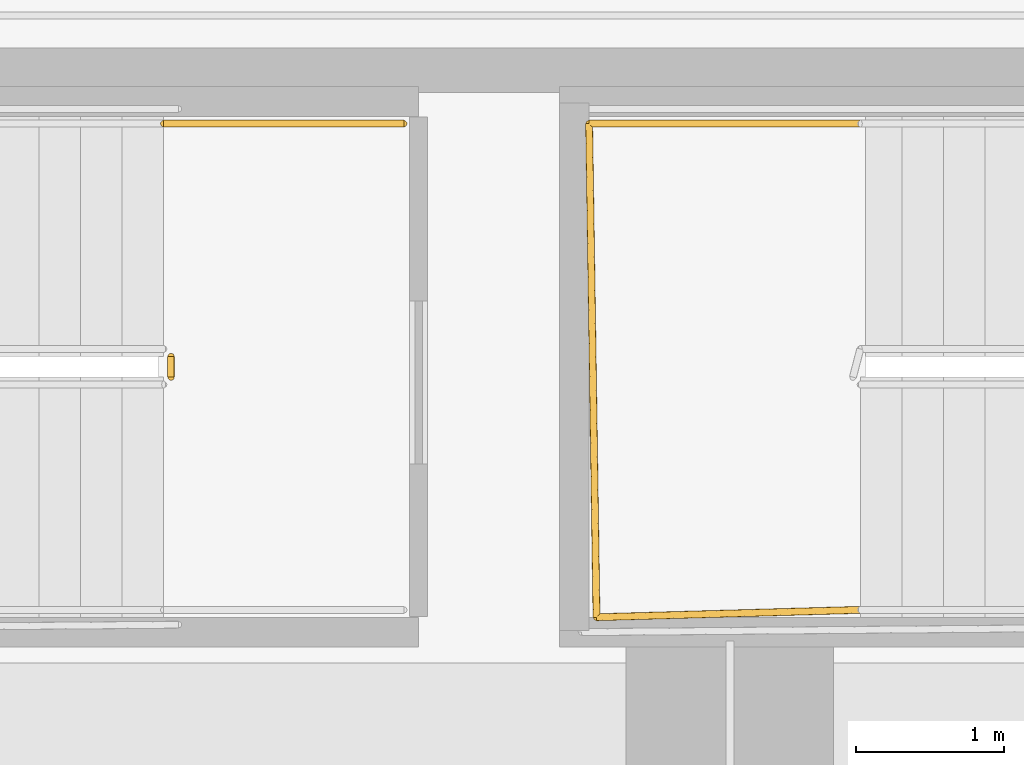
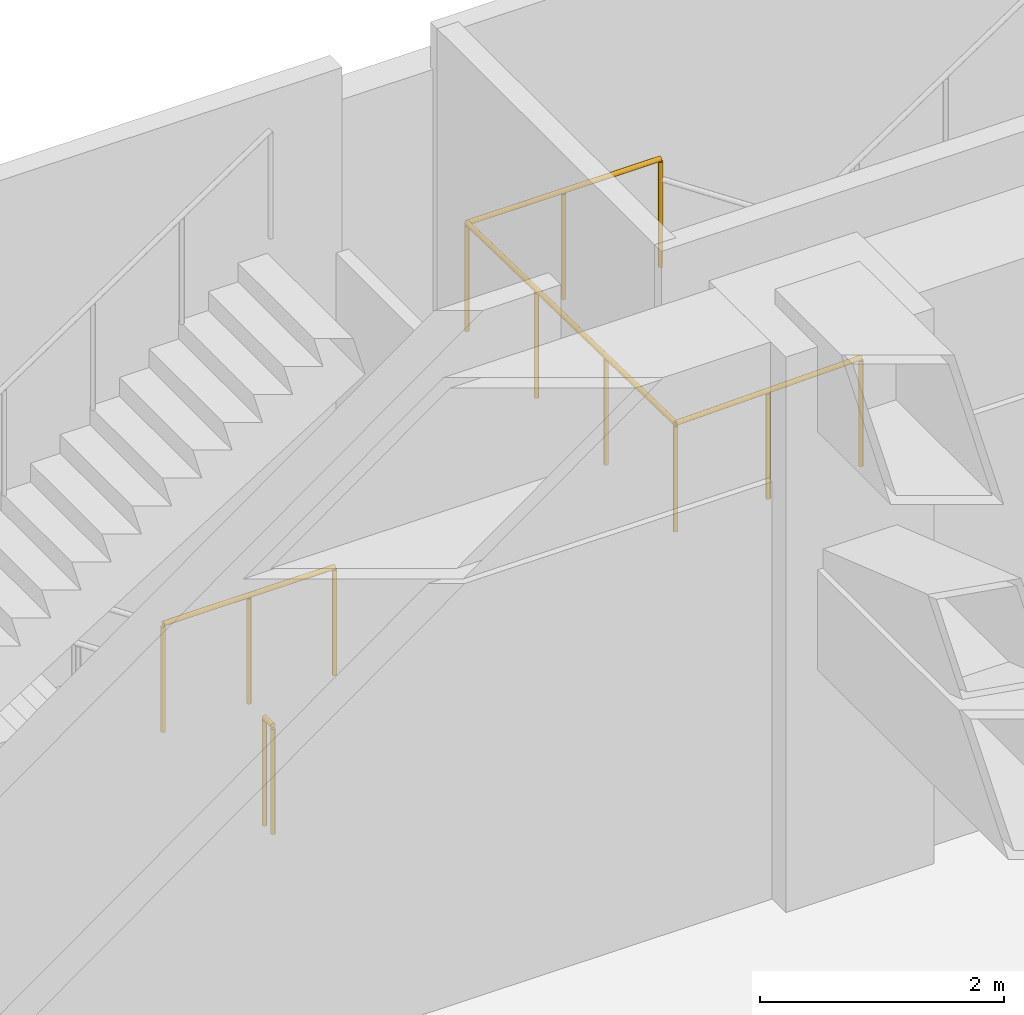
# One storey, part 23 of 27: 3 railings.
"""IFC4 building model written with IfcOpenShell, lengths in metres."""

from ifc_helpers import new_model, si_unit, direction, frame, origin, origin_2d, place, context, subcontext, project, spatial, circle, extrude, material, layer, layer_set, type_object, element, save


model = new_model("IFC4")

# Units and contexts
model_context = context("Model", 3, precision=1e-05, world=origin(), true_north=direction((0.0, 1.0)))
body_context = subcontext(model_context, "Body", "Model", "MODEL_VIEW")
ifc_project = project(units=[si_unit("LENGTHUNIT", "METRE"), si_unit("AREAUNIT", "SQUARE_METRE"), si_unit("VOLUMEUNIT", "CUBIC_METRE"), si_unit("PLANEANGLEUNIT", "RADIAN"), si_unit("MASSUNIT", "GRAM", prefix="KILO")], contexts=[model_context])

# Site, building, storey
site_placement = place(None, origin())
site = spatial("IfcSite", under=ifc_project, at=site_placement, CompositionType="ELEMENT")
building_placement = place(site_placement, origin())
building = spatial("IfcBuilding", under=site, at=building_placement, Name="Ndaravel Arena Tower", CompositionType="ELEMENT")
storey_placement = place(building_placement, frame((0.0, 0.0, 24.0)))
storey = spatial("IfcBuildingStorey", under=building, at=storey_placement, Name="L04", CompositionType="ELEMENT", Elevation=24.0)

# Railings
ifc_material = material(Name="Steel S355", Category="steel")
ifc_layer = layer(ifc_material, 0.06005859375)
ifc_layer_set = layer_set([ifc_layer], Name="Steel S355")
railing_type = type_object("IfcRailingType", Name="RAIL-STAIR-GD1100", PredefinedType="GUARDRAIL", material=ifc_layer_set)
railing_1_placement = place(storey_placement, frame((60.22998046875, 45.52001953125, 0.0)))
element("IfcRailing", 1, at=railing_1_placement, inside=storey, type_object=railing_type, Name="L04 ST-A10 stair guard 4", PredefinedType="GUARDRAIL", context=body_context, shape_type="SweptSolid", body=[
    extrude(circle(Radius=0.02392578125, at=origin_2d()), frame((0.0, 0.0, 1.076171875), z_axis=(0.0, -1.0, 0.0), x_axis=(1.0, 0.0, 0.0)), (0.0, 0.0, 1.0), 0.14013671875),
    extrude(circle(Radius=0.02099609375, at=origin_2d()), origin(), (0.0, 0.0, 1.0), 1.052001953125),
    extrude(circle(Radius=0.02099609375, at=origin_2d()), frame((0.0, -0.14013671875, 0.0)), (0.0, 0.0, 1.0), 1.052001953125),
])
railing_2_placement = place(storey_placement, frame((61.800048828125, 47.090087890625, 0.0)))
element("IfcRailing", 2, at=railing_2_placement, inside=storey, type_object=railing_type, Name="L04 ST-A10 stair guard 5", PredefinedType="GUARDRAIL", context=body_context, shape_type="SweptSolid", body=[
    extrude(circle(Radius=0.02392578125, at=origin_2d()), frame((0.0, 0.0, 1.076171875), z_axis=(-1.0, 0.0, 0.0), x_axis=(0.0, -1.0, 0.0)), (0.0, 0.0, 1.0), 1.6201171875),
    extrude(circle(Radius=0.02099609375, at=origin_2d()), origin(), (0.0, 0.0, 1.0), 1.052001953125),
    extrude(circle(Radius=0.02099609375, at=origin_2d()), frame((-0.81005859375, 0.0, 0.0)), (0.0, 0.0, 1.0), 1.052001953125),
    extrude(circle(Radius=0.02099609375, at=origin_2d()), frame((-1.6201171875, 0.0, 0.0)), (0.0, 0.0, 1.0), 1.052001953125),
])
railing_3_placement = place(storey_placement, frame((64.8798828125, 47.090087890625, 3.0)))
element("IfcRailing", 3, at=railing_3_placement, inside=storey, type_object=railing_type, Name="L04 ST-A11 stair guard 2", PredefinedType="GUARDRAIL", context=body_context, shape_type="SweptSolid", body=[
    extrude(circle(Radius=0.02392578125, at=origin_2d()), frame((0.0, 0.0, 1.076171875), z_axis=(-1.0, 0.0, 0.0), x_axis=(0.0, -1.0, 0.0)), (0.0, 0.0, 1.0), 1.829833984375),
    extrude(circle(Radius=0.02392578125, at=origin_2d()), frame((-1.829833984375, 0.0, 1.076171875), z_axis=(0.015027628384, -0.999887078817, 0.0), x_axis=(0.999887078817, 0.015027628384, 0.0)), (0.0, 0.0, 1.0), 3.33056640625),
    extrude(circle(Radius=0.02392578125, at=origin_2d()), frame((-1.77978515625, -3.330078125, 1.076171875), z_axis=(0.999604847084, 0.028109601324, 0.0), x_axis=(-0.028109601324, 0.999604847084, 0.0)), (0.0, 0.0, 1.0), 1.780517578125),
    extrude(circle(Radius=0.02099609375, at=origin_2d()), origin(), (0.0, 0.0, 1.0), 1.052001953125),
    extrude(circle(Radius=0.02099609375, at=origin_2d()), frame((-0.9150390625, 0.0, 0.0)), (0.0, 0.0, 1.0), 1.052001953125),
    extrude(circle(Radius=0.02099609375, at=origin_2d()), frame((-1.829833984375, 0.0, 0.0)), (0.0, 0.0, 1.0), 1.052001953125),
    extrude(circle(Radius=0.02099609375, at=origin_2d()), frame((-1.813232421875, -1.110107421875, 0.0)), (0.0, 0.0, 1.0), 1.052001953125),
    extrude(circle(Radius=0.02099609375, at=origin_2d()), frame((-1.79638671875, -2.219970703125, 0.0)), (0.0, 0.0, 1.0), 1.052001953125),
    extrude(circle(Radius=0.02099609375, at=origin_2d()), frame((-1.77978515625, -3.330078125, 0.0)), (0.0, 0.0, 1.0), 1.052001953125),
    extrude(circle(Radius=0.02099609375, at=origin_2d()), frame((-0.889892578125, -3.30517578125, 0.0)), (0.0, 0.0, 1.0), 1.052001953125),
    extrude(circle(Radius=0.02099609375, at=origin_2d()), frame((0.0, -3.280029296875, 0.0)), (0.0, 0.0, 1.0), 1.052001953125),
])

save(model, "model.ifc")
